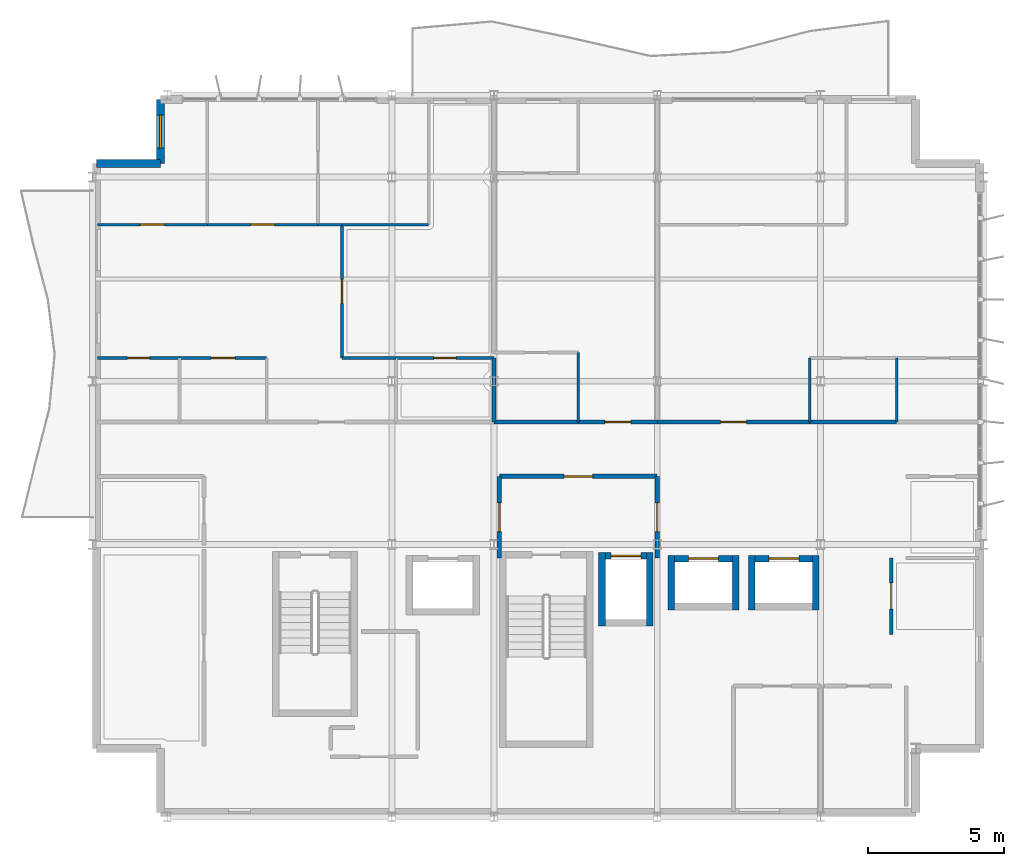
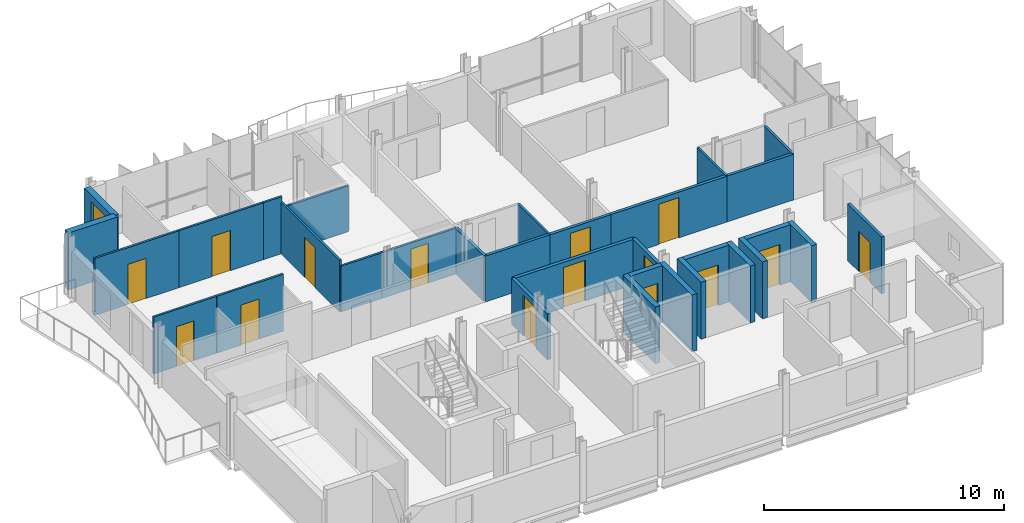
# One storey, part 9 of 13: 32 walls, 15 doors, 1 window, 16 openings.
"""IFC4 building model written with IfcOpenShell, lengths in metres."""

from ifc_helpers import new_model, si_unit, direction, frame, frame_2d, origin, place, context, subcontext, project, spatial, rectangle, extrude, material, layer, layer_set, type_object, element, fill, save


model = new_model("IFC4")

# Units and contexts
model_context = context("Model", 3, precision=1e-05, world=origin(), true_north=direction((0.0, 1.0)))
body_context = subcontext(model_context, "Body", "Model", "MODEL_VIEW")
ifc_project = project(units=[si_unit("LENGTHUNIT", "METRE"), si_unit("AREAUNIT", "SQUARE_METRE"), si_unit("VOLUMEUNIT", "CUBIC_METRE"), si_unit("PLANEANGLEUNIT", "RADIAN"), si_unit("MASSUNIT", "GRAM", prefix="KILO")], contexts=[model_context])

# Site, building, storey
site_placement = place(None, origin())
site = spatial("IfcSite", under=ifc_project, at=site_placement, CompositionType="ELEMENT")
building_placement = place(site_placement, origin())
building = spatial("IfcBuilding", under=site, at=building_placement, Name="Brevholm Reach", CompositionType="ELEMENT")
storey_placement = place(building_placement, frame((0.0, 0.0, 224.199951171875)))
storey = spatial("IfcBuildingStorey", under=building, at=storey_placement, Name="L68", CompositionType="ELEMENT", Elevation=224.199951171875)

# Walls
ifc_material_1 = material(Name="Concrete C45/55", Category="concrete")
ifc_layer_1 = layer(ifc_material_1, 0.239990234375)
ifc_layer_set_1 = layer_set([ifc_layer_1], Name="Concrete C45/55")
wall_type_1 = type_object("IfcWallType", Name="WAL-COR-240", PredefinedType="SHEAR", material=ifc_layer_set_1)
for number, where, z_axis, x_axis, name in (
    (1, (45.969970703125, 7.0, 0.0), (0.0, 0.0, 1.0), (0.0, 1.0, 0.0), "L68 Lift FFL-2 Shaft Wall W"),
    (2, (47.72998046875, 7.0, 0.0), (0.0, 0.0, 1.0), (0.0, 1.0, 0.0), "L68 Lift FFL-2 Shaft Wall E"),
):
    element("IfcWall", number, at=place(storey_placement, frame(where, z_axis=z_axis, x_axis=x_axis)), inside=storey, type_object=wall_type_1, Name=name, PredefinedType="SHEAR", context=body_context, shape_type="SweptSolid", body=[
        extrude(rectangle(XDim=2.699951171875, YDim=0.239990234375, at=frame_2d((1.35009765625, 0.0))), origin(), (0.0, 0.0, 1.0), 2.89013671875),
    ])

# Wall, opening, door
wall_1_placement = place(storey_placement, frame((46.090087890625, 9.580078125, 0.0), z_axis=(0.0, 0.0, 1.0), x_axis=(1.0, 0.0, 0.0)))
wall_1 = element("IfcWall", 3, at=wall_1_placement, inside=storey, type_object=wall_type_1, Name="L68 Lift FFL-2 Shaft Wall N", PredefinedType="SHEAR", context=body_context, shape_type="SweptSolid", body=[
    extrude(rectangle(XDim=1.52001953125, YDim=0.239990234375, at=frame_2d((0.760009765625, 0.0))), origin(), (0.0, 0.0, 1.0), 2.89013671875),
])
opening_1_placement = place(wall_1_placement, frame((0.2099609375, 0.0, 0.0)))
opening_1 = element("IfcOpeningElement", 4, at=opening_1_placement, cuts=wall_1, Name="Opening LD-FFL-2", PredefinedType="OPENING", context=body_context, shape_type="SweptSolid", body=[
    extrude(rectangle(XDim=1.10009765625, YDim=2.06005859375, at=frame_2d((0.550048828125, 1.030029296875))), frame((0.0, 0.1298828125, 0.0), z_axis=(0.0, -1.0, 0.0), x_axis=(1.0, 0.0, 0.0)), (0.0, 0.0, 1.0), 0.260009765625),
])
ifc_material_2 = material(Name="Brushed Stainless Steel Fire-Rated Sliding Lift Door", Category="steel")
door_type_1 = type_object("IfcDoorType", Name="DOR-LFT-1100", OperationType="NOTDEFINED", PredefinedType="DOOR", material=ifc_material_2)
door_1_placement = place(opening_1_placement, origin())
door_1 = element("IfcDoor", 5, at=door_1_placement, inside=storey, type_object=door_type_1, Name="L68 Lift FFL-2 Sliding Landing Door", OperationType="SLIDING_TO_LEFT", OverallHeight=2.06005859375, OverallWidth=1.10009765625, PredefinedType="DOOR", context=body_context, shape_type="SweptSolid", body=[
    extrude(rectangle(XDim=1.10009765625, YDim=2.06005859375, at=frame_2d((0.550048828125, 1.030029296875))), frame((0.0, 0.02490234375, 0.0), z_axis=(0.0, -1.0, 0.0), x_axis=(1.0, 0.0, 0.0)), (0.0, 0.0, 1.0), 0.050048828125),
])
fill(opening_1, door_1)

# Walls
for number, where, z_axis, x_axis, name in (
    (6, (48.52001953125, 7.60009765625, 0.0), (0.0, 0.0, 1.0), (0.0, 1.0, 0.0), "L68 Lift PL-H1 Shaft Wall W"),
    (7, (50.8798828125, 7.60009765625, 0.0), (0.0, 0.0, 1.0), (0.0, 1.0, 0.0), "L68 Lift PL-H1 Shaft Wall E"),
):
    element("IfcWall", number, at=place(storey_placement, frame(where, z_axis=z_axis, x_axis=x_axis)), inside=storey, type_object=wall_type_1, Name=name, PredefinedType="SHEAR", context=body_context, shape_type="SweptSolid", body=[
        extrude(rectangle(XDim=2.0, YDim=0.239990234375, at=frame_2d((1.0, 0.0))), origin(), (0.0, 0.0, 1.0), 2.89013671875),
    ])

# Wall, opening, door
wall_2_placement = place(storey_placement, frame((48.639892578125, 9.47998046875, 0.0), z_axis=(0.0, 0.0, 1.0), x_axis=(1.0, 0.0, 0.0)))
wall_2 = element("IfcWall", 8, at=wall_2_placement, inside=storey, type_object=wall_type_1, Name="L68 Lift PL-H1 Shaft Wall N", PredefinedType="SHEAR", context=body_context, shape_type="SweptSolid", body=[
    extrude(rectangle(XDim=2.1201171875, YDim=0.239990234375, at=frame_2d((1.06005859375, 0.0))), origin(), (0.0, 0.0, 1.0), 2.89013671875),
])
opening_2_placement = place(wall_2_placement, frame((0.510009765625, 0.0, 0.0)))
opening_2 = element("IfcOpeningElement", 9, at=opening_2_placement, cuts=wall_2, Name="Opening LD-PL-H1", PredefinedType="OPENING", context=body_context, shape_type="SweptSolid", body=[
    extrude(rectangle(XDim=1.10009765625, YDim=2.06005859375, at=frame_2d((0.550048828125, 1.030029296875))), frame((0.0, 0.1298828125, 0.0), z_axis=(0.0, -1.0, 0.0), x_axis=(1.0, 0.0, 0.0)), (0.0, 0.0, 1.0), 0.260009765625),
])
door_2_placement = place(opening_2_placement, origin())
door_2 = element("IfcDoor", 10, at=door_2_placement, inside=storey, type_object=door_type_1, Name="L68 Lift PL-H1 Sliding Landing Door", OperationType="SLIDING_TO_LEFT", OverallHeight=2.06005859375, OverallWidth=1.10009765625, PredefinedType="DOOR", context=body_context, shape_type="SweptSolid", body=[
    extrude(rectangle(XDim=1.10009765625, YDim=2.06005859375, at=frame_2d((0.550048828125, 1.030029296875))), frame((0.0, 0.02490234375, 0.0), z_axis=(0.0, -1.0, 0.0), x_axis=(1.0, 0.0, 0.0)), (0.0, 0.0, 1.0), 0.050048828125),
])
fill(opening_2, door_2)

# Walls
for number, where, z_axis, x_axis, name in (
    (11, (51.469970703125, 7.60009765625, 0.0), (0.0, 0.0, 1.0), (0.0, 1.0, 0.0), "L68 Lift PL-H2 Shaft Wall W"),
    (12, (53.830078125, 7.60009765625, 0.0), (0.0, 0.0, 1.0), (0.0, 1.0, 0.0), "L68 Lift PL-H2 Shaft Wall E"),
):
    element("IfcWall", number, at=place(storey_placement, frame(where, z_axis=z_axis, x_axis=x_axis)), inside=storey, type_object=wall_type_1, Name=name, PredefinedType="SHEAR", context=body_context, shape_type="SweptSolid", body=[
        extrude(rectangle(XDim=2.0, YDim=0.239990234375, at=frame_2d((1.0, 0.0))), origin(), (0.0, 0.0, 1.0), 2.89013671875),
    ])

# Wall, opening, door
wall_3_placement = place(storey_placement, frame((51.590087890625, 9.47998046875, 0.0), z_axis=(0.0, 0.0, 1.0), x_axis=(1.0, 0.0, 0.0)))
wall_3 = element("IfcWall", 13, at=wall_3_placement, inside=storey, type_object=wall_type_1, Name="L68 Lift PL-H2 Shaft Wall N", PredefinedType="SHEAR", context=body_context, shape_type="SweptSolid", body=[
    extrude(rectangle(XDim=2.119873046875, YDim=0.239990234375, at=frame_2d((1.06005859375, 0.0))), origin(), (0.0, 0.0, 1.0), 2.89013671875),
])
opening_3_placement = place(wall_3_placement, frame((0.510009765625, 0.0, 0.0)))
opening_3 = element("IfcOpeningElement", 14, at=opening_3_placement, cuts=wall_3, Name="Opening LD-PL-H2", PredefinedType="OPENING", context=body_context, shape_type="SweptSolid", body=[
    extrude(rectangle(XDim=1.10009765625, YDim=2.06005859375, at=frame_2d((0.550048828125, 1.030029296875))), frame((0.0, 0.1298828125, 0.0), z_axis=(0.0, -1.0, 0.0), x_axis=(1.0, 0.0, 0.0)), (0.0, 0.0, 1.0), 0.260009765625),
])
door_3_placement = place(opening_3_placement, origin())
door_3 = element("IfcDoor", 15, at=door_3_placement, inside=storey, type_object=door_type_1, Name="L68 Lift PL-H2 Sliding Landing Door", OperationType="SLIDING_TO_RIGHT", OverallHeight=2.06005859375, OverallWidth=1.10009765625, PredefinedType="DOOR", context=body_context, shape_type="SweptSolid", body=[
    extrude(rectangle(XDim=1.10009765625, YDim=2.06005859375, at=frame_2d((0.550048828125, 1.030029296875))), frame((0.0, 0.02490234375, 0.0), z_axis=(0.0, -1.0, 0.0), x_axis=(1.0, 0.0, 0.0)), (0.0, 0.0, 1.0), 0.050048828125),
])
fill(opening_3, door_3)

# Wall, opening, window
ifc_material_3 = material(Name="Concrete C40/50", Category="concrete")
ifc_layer_2 = layer(ifc_material_3, 0.300048828125)
ifc_layer_set_2 = layer_set([ifc_layer_2], Name="Concrete C40/50")
wall_type_2 = type_object("IfcWallType", Name="WAL-EXT-300", PredefinedType="STANDARD", material=ifc_layer_set_2)
wall_4_placement = place(storey_placement, frame((29.75, 26.35009765625, 0.0), z_axis=(0.0, 0.0, 1.0), x_axis=(0.0, -1.0, 0.0)))
wall_4 = element("IfcWall", 16, at=wall_4_placement, inside=storey, type_object=wall_type_2, Name="L68 Facade Wall WAL-L68-CNW1", PredefinedType="STANDARD", context=body_context, shape_type="SweptSolid", body=[
    extrude(rectangle(XDim=2.35009765625, YDim=0.300048828125, at=frame_2d((1.175048828125, 0.0))), origin(), (0.0, 0.0, 1.0), 2.89013671875),
])
opening_4_placement = place(wall_4_placement, frame((0.574951171875, 0.0, 0.949951171875)))
opening_4 = element("IfcOpeningElement", 17, at=opening_4_placement, cuts=wall_4, Name="Opening WN-08", PredefinedType="OPENING", context=body_context, shape_type="SweptSolid", body=[
    extrude(rectangle(XDim=1.199951171875, YDim=1.60009765625, at=frame_2d((0.60009765625, 0.800048828125))), frame((0.0, 0.159912109375, 0.0), z_axis=(0.0, -1.0, 0.0), x_axis=(1.0, 0.0, 0.0)), (0.0, 0.0, 1.0), 0.320068359375),
])
ifc_material_4 = material(Name="Dark Anodised Aluminium and Solar-Control IGU Glass", Category="aluminium")
window_type = type_object("IfcWindowType", Name="WIN-RES-1200", PartitioningType="SINGLE_PANEL", PredefinedType="WINDOW", material=ifc_material_4)
window_placement = place(opening_4_placement, origin())
window = element("IfcWindow", 18, at=window_placement, inside=storey, type_object=window_type, Name="L68 Bedroom Window 076", OverallHeight=1.60009765625, OverallWidth=1.199951171875, PartitioningType="SINGLE_PANEL", PredefinedType="WINDOW", context=body_context, shape_type="SweptSolid", body=[
    extrude(rectangle(XDim=1.199951171875, YDim=1.60009765625, at=frame_2d((0.60009765625, 0.800048828125))), frame((0.0, 0.030029296875, 0.0), z_axis=(0.0, -1.0, 0.0), x_axis=(1.0, 0.0, 0.0)), (0.0, 0.0, 1.0), 0.06005859375),
])
fill(opening_4, window)

# Wall
wall_5_placement = place(storey_placement, frame((29.75, 24.0, 0.0), z_axis=(0.0, 0.0, 1.0), x_axis=(-1.0, 0.0, 0.0)))
element("IfcWall", 19, at=wall_5_placement, inside=storey, type_object=wall_type_2, Name="L68 Facade Wall WAL-L68-CNW2", PredefinedType="STANDARD", context=body_context, shape_type="SweptSolid", body=[
    extrude(rectangle(XDim=2.35009765625, YDim=0.300048828125, at=frame_2d((1.175048828125, 0.0))), origin(), (0.0, 0.0, 1.0), 2.89013671875),
])

# Wall, opening, door
ifc_material_5 = material(Name="Moisture-Resistant Acoustic Gypsum Stud Partition 100 mm", Category="gypsum")
ifc_layer_3 = layer(ifc_material_5, 0.10009765625)
ifc_layer_set_3 = layer_set([ifc_layer_3], Name="Moisture-Resistant Acoustic Gypsum Stud Partition 100 mm")
wall_type_3 = type_object("IfcWallType", Name="WAL-PRT-100", PredefinedType="PARTITIONING", material=ifc_layer_set_3)
wall_6_placement = place(storey_placement, frame((27.429931640625, 16.85009765625, 0.0), z_axis=(0.0, 0.0, 1.0), x_axis=(1.0, 0.0, 0.0)))
wall_6 = element("IfcWall", 20, at=wall_6_placement, inside=storey, type_object=wall_type_3, Name="L68 Internal Partition 025", PredefinedType="PARTITIONING", context=body_context, shape_type="SweptSolid", body=[
    extrude(rectangle(XDim=3.02001953125, YDim=0.10009765625, at=frame_2d((1.510009765625, 0.0))), origin(), (0.0, 0.0, 1.0), 2.89013671875),
])
opening_5_placement = place(wall_6_placement, frame((1.10009765625, 0.0, 0.0)))
opening_5 = element("IfcOpeningElement", 21, at=opening_5_placement, cuts=wall_6, Name="Opening ID-03", PredefinedType="OPENING", context=body_context, shape_type="SweptSolid", body=[
    extrude(rectangle(XDim=0.820068359375, YDim=2.02001953125, at=frame_2d((0.41015625, 1.010009765625))), frame((0.0, 0.06005859375, 0.0), z_axis=(0.0, -1.0, 0.0), x_axis=(1.0, 0.0, 0.0)), (0.0, 0.0, 1.0), 0.1201171875),
])
ifc_material_6 = material(Name="Moisture-Resistant Painted Timber Internal Bathroom Door", Category="wood")
door_type_2 = type_object("IfcDoorType", Name="DOR-BATH-820", OperationType="NOTDEFINED", PredefinedType="DOOR", material=ifc_material_6)
door_4_placement = place(opening_5_placement, origin())
door_4 = element("IfcDoor", 22, at=door_4_placement, inside=storey, type_object=door_type_2, Name="L68 Internal Door 014", OperationType="SINGLE_SWING_RIGHT", OverallHeight=2.02001953125, OverallWidth=0.820068359375, PredefinedType="DOOR", context=body_context, shape_type="SweptSolid", body=[
    extrude(rectangle(XDim=0.820068359375, YDim=2.02001953125, at=frame_2d((0.41015625, 1.010009765625))), frame((0.0, 0.02490234375, 0.0), z_axis=(0.0, -1.0, 0.0), x_axis=(1.0, 0.0, 0.0)), (0.0, 0.0, 1.0), 0.050048828125),
])
fill(opening_5, door_4)

wall_7_placement = place(storey_placement, frame((30.4541015625, 16.85009765625, 0.0), z_axis=(0.0, 0.0, 1.0), x_axis=(1.0, 0.0, 0.0)))
wall_7 = element("IfcWall", 23, at=wall_7_placement, inside=storey, type_object=wall_type_3, Name="L68 Internal Partition 027", PredefinedType="PARTITIONING", context=body_context, shape_type="SweptSolid", body=[
    extrude(rectangle(XDim=3.19580078125, YDim=0.10009765625, at=frame_2d((1.597900390625, 0.0))), origin(), (0.0, 0.0, 1.0), 2.89013671875),
])
opening_6_placement = place(wall_7_placement, frame((1.157958984375, 0.0, 0.0)))
opening_6 = element("IfcOpeningElement", 24, at=opening_6_placement, cuts=wall_7, Name="Opening ID-01", PredefinedType="OPENING", context=body_context, shape_type="SweptSolid", body=[
    extrude(rectangle(XDim=0.8798828125, YDim=2.0400390625, at=frame_2d((0.43994140625, 1.02001953125))), frame((0.0, 0.06005859375, 0.0), z_axis=(0.0, -1.0, 0.0), x_axis=(1.0, 0.0, 0.0)), (0.0, 0.0, 1.0), 0.1201171875),
])
ifc_material_7 = material(Name="Lacquered Ash Solid-Core Acoustic Internal Door", Category="timber")
door_type_3 = type_object("IfcDoorType", Name="DOR-INT-880", OperationType="NOTDEFINED", PredefinedType="DOOR", material=ifc_material_7)
door_5_placement = place(opening_6_placement, origin())
door_5 = element("IfcDoor", 25, at=door_5_placement, inside=storey, type_object=door_type_3, Name="L68 Internal Door 015", OperationType="SINGLE_SWING_LEFT", OverallHeight=2.0400390625, OverallWidth=0.8798828125, PredefinedType="DOOR", context=body_context, shape_type="SweptSolid", body=[
    extrude(rectangle(XDim=0.8798828125, YDim=2.0400390625, at=frame_2d((0.43994140625, 1.02001953125))), frame((0.0, 0.02490234375, 0.0), z_axis=(0.0, -1.0, 0.0), x_axis=(1.0, 0.0, 0.0)), (0.0, 0.0, 1.0), 0.050048828125),
])
fill(opening_6, door_5)

wall_8_placement = place(storey_placement, frame((38.39990234375, 16.85009765625, 0.0), z_axis=(0.0, 0.0, 1.0), x_axis=(1.0, 0.0, 0.0)))
wall_8 = element("IfcWall", 26, at=wall_8_placement, inside=storey, type_object=wall_type_3, Name="L68 Internal Partition 028", PredefinedType="PARTITIONING", context=body_context, shape_type="SweptSolid", body=[
    extrude(rectangle(XDim=3.60009765625, YDim=0.10009765625, at=frame_2d((1.800048828125, 0.0))), origin(), (0.0, 0.0, 1.0), 2.325439453125),
])
opening_7_placement = place(wall_8_placement, frame((1.389892578125, 0.0, 0.0)))
opening_7 = element("IfcOpeningElement", 27, at=opening_7_placement, cuts=wall_8, Name="Opening ID-03", PredefinedType="OPENING", context=body_context, shape_type="SweptSolid", body=[
    extrude(rectangle(XDim=0.820068359375, YDim=2.02001953125, at=frame_2d((0.41015625, 1.010009765625))), frame((0.0, 0.06005859375, 0.0), z_axis=(0.0, -1.0, 0.0), x_axis=(1.0, 0.0, 0.0)), (0.0, 0.0, 1.0), 0.1201171875),
])
door_6_placement = place(opening_7_placement, origin())
door_6 = element("IfcDoor", 28, at=door_6_placement, inside=storey, type_object=door_type_2, Name="L68 Access Door 024", OperationType="SINGLE_SWING_RIGHT", OverallHeight=2.02001953125, OverallWidth=0.820068359375, PredefinedType="DOOR", context=body_context, shape_type="SweptSolid", body=[
    extrude(rectangle(XDim=0.820068359375, YDim=2.02001953125, at=frame_2d((0.41015625, 1.010009765625))), frame((0.0, 0.02490234375, 0.0), z_axis=(0.0, -1.0, 0.0), x_axis=(1.0, 0.0, 0.0)), (0.0, 0.0, 1.0), 0.050048828125),
])
fill(opening_7, door_6)

wall_9_placement = place(storey_placement, frame((27.429931640625, 21.75, 0.0), z_axis=(0.0, 0.0, 1.0), x_axis=(1.0, 0.0, 0.0)))
wall_9 = element("IfcWall", 29, at=wall_9_placement, inside=storey, type_object=wall_type_3, Name="L68 Internal Partition 032", PredefinedType="PARTITIONING", context=body_context, shape_type="SweptSolid", body=[
    extrude(rectangle(XDim=4.037109375, YDim=0.10009765625, at=frame_2d((2.0185546875, 0.0))), origin(), (0.0, 0.0, 1.0), 2.89013671875),
])
opening_8_placement = place(wall_9_placement, frame((1.57861328125, 0.0, 0.0)))
opening_8 = element("IfcOpeningElement", 30, at=opening_8_placement, cuts=wall_9, Name="Opening ID-01", PredefinedType="OPENING", context=body_context, shape_type="SweptSolid", body=[
    extrude(rectangle(XDim=0.8798828125, YDim=2.0400390625, at=frame_2d((0.43994140625, 1.02001953125))), frame((0.0, 0.06005859375, 0.0), z_axis=(0.0, -1.0, 0.0), x_axis=(1.0, 0.0, 0.0)), (0.0, 0.0, 1.0), 0.1201171875),
])
door_7_placement = place(opening_8_placement, origin())
door_7 = element("IfcDoor", 31, at=door_7_placement, inside=storey, type_object=door_type_3, Name="L68 Internal Door 016", OperationType="SINGLE_SWING_RIGHT", OverallHeight=2.0400390625, OverallWidth=0.8798828125, PredefinedType="DOOR", context=body_context, shape_type="SweptSolid", body=[
    extrude(rectangle(XDim=0.8798828125, YDim=2.0400390625, at=frame_2d((0.43994140625, 1.02001953125))), frame((0.0, 0.02490234375, 0.0), z_axis=(0.0, -1.0, 0.0), x_axis=(1.0, 0.0, 0.0)), (0.0, 0.0, 1.0), 0.050048828125),
])
fill(opening_8, door_7)

wall_10_placement = place(storey_placement, frame((31.470947265625, 21.75, 0.0), z_axis=(0.0, 0.0, 1.0), x_axis=(1.0, 0.0, 0.0)))
wall_10 = element("IfcWall", 32, at=wall_10_placement, inside=storey, type_object=wall_type_3, Name="L68 Internal Partition 034", PredefinedType="PARTITIONING", context=body_context, shape_type="SweptSolid", body=[
    extrude(rectangle(XDim=4.06298828125, YDim=0.10009765625, at=frame_2d((2.031494140625, 0.0))), origin(), (0.0, 0.0, 1.0), 2.89013671875),
])
opening_9_placement = place(wall_10_placement, frame((1.591552734375, 0.0, 0.0)))
opening_9 = element("IfcOpeningElement", 33, at=opening_9_placement, cuts=wall_10, Name="Opening ID-01", PredefinedType="OPENING", context=body_context, shape_type="SweptSolid", body=[
    extrude(rectangle(XDim=0.8798828125, YDim=2.0400390625, at=frame_2d((0.43994140625, 1.02001953125))), frame((0.0, 0.06005859375, 0.0), z_axis=(0.0, -1.0, 0.0), x_axis=(1.0, 0.0, 0.0)), (0.0, 0.0, 1.0), 0.1201171875),
])
door_8_placement = place(opening_9_placement, origin())
door_8 = element("IfcDoor", 34, at=door_8_placement, inside=storey, type_object=door_type_3, Name="L68 Internal Door 017", OperationType="SINGLE_SWING_LEFT", OverallHeight=2.0400390625, OverallWidth=0.8798828125, PredefinedType="DOOR", context=body_context, shape_type="SweptSolid", body=[
    extrude(rectangle(XDim=0.8798828125, YDim=2.0400390625, at=frame_2d((0.43994140625, 1.02001953125))), frame((0.0, 0.02490234375, 0.0), z_axis=(0.0, -1.0, 0.0), x_axis=(1.0, 0.0, 0.0)), (0.0, 0.0, 1.0), 0.050048828125),
])
fill(opening_9, door_8)

# Walls
wall_11_placement = place(storey_placement, frame((36.40673828125, 21.75, 0.0), z_axis=(0.0, 0.0, 1.0), x_axis=(1.0, 0.0, 0.0)))
element("IfcWall", 35, at=wall_11_placement, inside=storey, type_object=wall_type_3, Name="L68 Internal Partition 036", PredefinedType="PARTITIONING", context=body_context, shape_type="SweptSolid", body=[
    extrude(rectangle(XDim=3.1943359375, YDim=0.10009765625, at=frame_2d((1.59716796875, 0.0))), origin(), (0.0, 0.0, 1.0), 2.325439453125),
])
wall_12_placement = place(storey_placement, frame((35.5380859375, 21.75, 0.0), z_axis=(0.0, 0.0, 1.0), x_axis=(1.0, 0.0, 0.0)))
element("IfcWall", 36, at=wall_12_placement, inside=storey, type_object=wall_type_3, Name="L68 Internal Partition 037", PredefinedType="PARTITIONING", context=body_context, shape_type="SweptSolid", body=[
    extrude(rectangle(XDim=0.88720703125, YDim=0.10009765625, at=frame_2d((0.443603515625, 0.0))), origin(), (0.0, 0.0, 1.0), 2.89013671875),
])

# Wall, opening, door
wall_13_placement = place(storey_placement, frame((36.41796875, 16.85009765625, 0.0), z_axis=(0.0, 0.0, 1.0), x_axis=(0.0, 1.0, 0.0)))
wall_13 = element("IfcWall", 37, at=wall_13_placement, inside=storey, type_object=wall_type_3, Name="L68 Internal Partition 038", PredefinedType="PARTITIONING", context=body_context, shape_type="SweptSolid", body=[
    extrude(rectangle(XDim=4.89599609375, YDim=0.10009765625, at=frame_2d((2.447998046875, 0.0))), origin(), (0.0, 0.0, 1.0), 2.61376953125),
])
opening_10_placement = place(wall_13_placement, frame((2.008056640625, 0.0, 0.0)))
opening_10 = element("IfcOpeningElement", 38, at=opening_10_placement, cuts=wall_13, Name="Opening ID-01", PredefinedType="OPENING", context=body_context, shape_type="SweptSolid", body=[
    extrude(rectangle(XDim=0.8798828125, YDim=2.0400390625, at=frame_2d((0.43994140625, 1.02001953125))), frame((0.0, 0.06005859375, 0.0), z_axis=(0.0, -1.0, 0.0), x_axis=(1.0, 0.0, 0.0)), (0.0, 0.0, 1.0), 0.1201171875),
])
door_9_placement = place(opening_10_placement, origin())
door_9 = element("IfcDoor", 39, at=door_9_placement, inside=storey, type_object=door_type_3, Name="L68 Internal Door 018", OperationType="SINGLE_SWING_RIGHT", OverallHeight=2.0400390625, OverallWidth=0.8798828125, PredefinedType="DOOR", context=body_context, shape_type="SweptSolid", body=[
    extrude(rectangle(XDim=0.8798828125, YDim=2.0400390625, at=frame_2d((0.43994140625, 1.02001953125))), frame((0.0, 0.02490234375, 0.0), z_axis=(0.0, -1.0, 0.0), x_axis=(1.0, 0.0, 0.0)), (0.0, 0.0, 1.0), 0.050048828125),
])
fill(opening_10, door_9)

# Walls
wall_14_placement = place(storey_placement, frame((36.41796875, 16.85009765625, 0.0), z_axis=(0.0, 0.0, 1.0), x_axis=(1.0, 0.0, 0.0)))
element("IfcWall", 40, at=wall_14_placement, inside=storey, type_object=wall_type_3, Name="L68 Internal Partition 039", PredefinedType="PARTITIONING", context=body_context, shape_type="SweptSolid", body=[
    extrude(rectangle(XDim=1.97802734375, YDim=0.10009765625, at=frame_2d((0.989013671875, 0.0))), origin(), (0.0, 0.0, 1.0), 2.325439453125),
])
wall_15_placement = place(storey_placement, frame((45.10009765625, 14.50390625, 0.0), z_axis=(0.0, 0.0, 1.0), x_axis=(0.0, 1.0, 0.0)))
element("IfcWall", 41, at=wall_15_placement, inside=storey, type_object=wall_type_3, Name="L68 Internal Partition 042", PredefinedType="PARTITIONING", context=body_context, shape_type="SweptSolid", body=[
    extrude(rectangle(XDim=2.546142578125, YDim=0.10009765625, at=frame_2d((1.27294921875, 0.0))), origin(), (0.0, 0.0, 1.0), 2.325439453125),
])
for number, where, z_axis, x_axis, name in (
    (42, (56.800048828125, 14.50390625, 0.0), (0.0, 0.0, 1.0), (0.0, 1.0, 0.0), "L68 Internal Partition 048"),
    (43, (53.60009765625, 14.50390625, 0.0), (0.0, 0.0, 1.0), (0.0, 1.0, 0.0), "L68 Internal Partition 051"),
):
    element("IfcWall", number, at=place(storey_placement, frame(where, z_axis=z_axis, x_axis=x_axis)), inside=storey, type_object=wall_type_3, Name=name, PredefinedType="PARTITIONING", context=body_context, shape_type="SweptSolid", body=[
        extrude(rectangle(XDim=2.34619140625, YDim=0.10009765625, at=frame_2d((1.173095703125, 0.0))), origin(), (0.0, 0.0, 1.0), 2.325439453125),
    ])

# Wall, opening, door
ifc_material_8 = material(Name="Twin-Stud Acoustic Fire-Rated Gypsum Partition 140 mm", Category="gypsum")
ifc_layer_4 = layer(ifc_material_8, 0.139892578125)
ifc_layer_set_4 = layer_set([ifc_layer_4], Name="Twin-Stud Acoustic Fire-Rated Gypsum Partition 140 mm")
wall_type_4 = type_object("IfcWallType", Name="WAL-PRT-140", PredefinedType="PARTITIONING", material=ifc_layer_set_4)
wall_16_placement = place(storey_placement, frame((56.60009765625, 6.688720703125, 0.0), z_axis=(0.0, 0.0, 1.0), x_axis=(0.0, 1.0, 0.0)))
wall_16 = element("IfcWall", 44, at=wall_16_placement, inside=storey, type_object=wall_type_4, Name="L68 Internal Partition 006", PredefinedType="PARTITIONING", context=body_context, shape_type="SweptSolid", body=[
    extrude(rectangle(XDim=2.822509765625, YDim=0.139892578125, at=frame_2d((1.4111328125, 0.0))), origin(), (0.0, 0.0, 1.0), 2.89013671875),
])
opening_11_placement = place(wall_16_placement, frame((0.936279296875, 0.0, 0.0)))
opening_11 = element("IfcOpeningElement", 45, at=opening_11_placement, cuts=wall_16, Name="Opening ID-30", PredefinedType="OPENING", context=body_context, shape_type="SweptSolid", body=[
    extrude(rectangle(XDim=0.949951171875, YDim=2.050048828125, at=frame_2d((0.47509765625, 1.02490234375))), frame((0.0, 0.079833984375, 0.0), z_axis=(0.0, -1.0, 0.0), x_axis=(1.0, 0.0, 0.0)), (0.0, 0.0, 1.0), 0.159912109375),
])
ifc_material_9 = material(Name="European Oak Veneered Solid-Core Fire Entrance Door", Category="timber")
door_type_4 = type_object("IfcDoorType", Name="DOR-FLT-FD30S", OperationType="NOTDEFINED", PredefinedType="DOOR", material=ifc_material_9)
door_10_placement = place(opening_11_placement, origin())
door_10 = element("IfcDoor", 46, at=door_10_placement, inside=storey, type_object=door_type_4, Name="L68 Internal Door 006", OperationType="SINGLE_SWING_RIGHT", OverallHeight=2.050048828125, OverallWidth=0.949951171875, PredefinedType="DOOR", context=body_context, shape_type="SweptSolid", body=[
    extrude(rectangle(XDim=0.949951171875, YDim=2.050048828125, at=frame_2d((0.47509765625, 1.02490234375))), frame((0.0, 0.02490234375, 0.0), z_axis=(0.0, -1.0, 0.0), x_axis=(1.0, 0.0, 0.0)), (0.0, 0.0, 1.0), 0.050048828125),
])
fill(opening_11, door_10)

# Wall
wall_17_placement = place(storey_placement, frame((41.99267578125, 14.5, 0.0), z_axis=(0.0, 0.0, 1.0), x_axis=(1.0, 0.0, 0.0)))
element("IfcWall", 47, at=wall_17_placement, inside=storey, type_object=wall_type_4, Name="L68 Internal Partition 019", PredefinedType="PARTITIONING", context=body_context, shape_type="SweptSolid", body=[
    extrude(rectangle(XDim=3.11865234375, YDim=0.139892578125, at=frame_2d((1.559326171875, 0.0))), origin(), (0.0, 0.0, 1.0), 2.325439453125),
])

# Wall, opening, door
wall_18_placement = place(storey_placement, frame((45.0927734375, 14.5, 0.0), z_axis=(0.0, 0.0, 1.0), x_axis=(1.0, 0.0, 0.0)))
wall_18 = element("IfcWall", 48, at=wall_18_placement, inside=storey, type_object=wall_type_4, Name="L68 Internal Partition 020", PredefinedType="PARTITIONING", context=body_context, shape_type="SweptSolid", body=[
    extrude(rectangle(XDim=2.91845703125, YDim=0.139892578125, at=frame_2d((1.459228515625, 0.0))), origin(), (0.0, 0.0, 1.0), 2.325439453125),
])
opening_12_placement = place(wall_18_placement, frame((0.984375, 0.0, 0.0)))
opening_12 = element("IfcOpeningElement", 49, at=opening_12_placement, cuts=wall_18, Name="Opening ID-30", PredefinedType="OPENING", context=body_context, shape_type="SweptSolid", body=[
    extrude(rectangle(XDim=0.949951171875, YDim=2.050048828125, at=frame_2d((0.47509765625, 1.02490234375))), frame((0.0, 0.079833984375, 0.0), z_axis=(0.0, -1.0, 0.0), x_axis=(1.0, 0.0, 0.0)), (0.0, 0.0, 1.0), 0.159912109375),
])
door_11_placement = place(opening_12_placement, origin())
door_11 = element("IfcDoor", 50, at=door_11_placement, inside=storey, type_object=door_type_4, Name="L68 Internal Door 012", OperationType="SINGLE_SWING_RIGHT", OverallHeight=2.050048828125, OverallWidth=0.949951171875, PredefinedType="DOOR", context=body_context, shape_type="SweptSolid", body=[
    extrude(rectangle(XDim=0.949951171875, YDim=2.050048828125, at=frame_2d((0.47509765625, 1.02490234375))), frame((0.0, 0.02490234375, 0.0), z_axis=(0.0, -1.0, 0.0), x_axis=(1.0, 0.0, 0.0)), (0.0, 0.0, 1.0), 0.050048828125),
])
fill(opening_12, door_11)

# Wall
wall_19_placement = place(storey_placement, frame((53.588623046875, 14.5, 0.0), z_axis=(0.0, 0.0, 1.0), x_axis=(1.0, 0.0, 0.0)))
element("IfcWall", 51, at=wall_19_placement, inside=storey, type_object=wall_type_4, Name="L68 Internal Partition 022", PredefinedType="PARTITIONING", context=body_context, shape_type="SweptSolid", body=[
    extrude(rectangle(XDim=3.21875, YDim=0.139892578125, at=frame_2d((1.609375, 0.0))), origin(), (0.0, 0.0, 1.0), 2.325439453125),
])

# Wall, opening, door
wall_20_placement = place(storey_placement, frame((47.99267578125, 14.5, 0.0), z_axis=(0.0, 0.0, 1.0), x_axis=(1.0, 0.0, 0.0)))
wall_20 = element("IfcWall", 52, at=wall_20_placement, inside=storey, type_object=wall_type_4, Name="L68 Internal Partition 023", PredefinedType="PARTITIONING", context=body_context, shape_type="SweptSolid", body=[
    extrude(rectangle(XDim=5.61474609375, YDim=0.139892578125, at=frame_2d((2.807373046875, 0.0))), origin(), (0.0, 0.0, 1.0), 2.325439453125),
])
opening_13_placement = place(wall_20_placement, frame((2.332275390625, 0.0, 0.0)))
opening_13 = element("IfcOpeningElement", 53, at=opening_13_placement, cuts=wall_20, Name="Opening ID-30", PredefinedType="OPENING", context=body_context, shape_type="SweptSolid", body=[
    extrude(rectangle(XDim=0.949951171875, YDim=2.050048828125, at=frame_2d((0.47509765625, 1.02490234375))), frame((0.0, 0.079833984375, 0.0), z_axis=(0.0, -1.0, 0.0), x_axis=(1.0, 0.0, 0.0)), (0.0, 0.0, 1.0), 0.159912109375),
])
door_12_placement = place(opening_13_placement, origin())
door_12 = element("IfcDoor", 54, at=door_12_placement, inside=storey, type_object=door_type_4, Name="L68 Internal Door 013", OperationType="SINGLE_SWING_LEFT", OverallHeight=2.050048828125, OverallWidth=0.949951171875, PredefinedType="DOOR", context=body_context, shape_type="SweptSolid", body=[
    extrude(rectangle(XDim=0.949951171875, YDim=2.050048828125, at=frame_2d((0.47509765625, 1.02490234375))), frame((0.0, 0.02490234375, 0.0), z_axis=(0.0, -1.0, 0.0), x_axis=(1.0, 0.0, 0.0)), (0.0, 0.0, 1.0), 0.050048828125),
])
fill(opening_13, door_12)

# Wall
wall_21_placement = place(storey_placement, frame((42.0, 14.50390625, 0.0), z_axis=(0.0, 0.0, 1.0), x_axis=(0.0, 1.0, 0.0)))
element("IfcWall", 55, at=wall_21_placement, inside=storey, type_object=wall_type_4, Name="L68 Internal Partition 030", PredefinedType="PARTITIONING", context=body_context, shape_type="SweptSolid", body=[
    extrude(rectangle(XDim=2.34619140625, YDim=0.139892578125, at=frame_2d((1.173095703125, 0.0))), origin(), (0.0, 0.0, 1.0), 2.325439453125),
])

# Wall, opening, door
ifc_material_10 = material(Name="Twin-Frame Fire-Rated Gypsum Board and Mineral Wool 160 mm", Category="gypsum")
ifc_layer_5 = layer(ifc_material_10, 0.159912109375)
ifc_layer_set_5 = layer_set([ifc_layer_5], Name="Twin-Frame Fire-Rated Gypsum Board and Mineral Wool 160 mm")
wall_type_5 = type_object("IfcWallType", Name="WAL-PRT-160", PredefinedType="PARTITIONING", material=ifc_layer_set_5)
wall_22_placement = place(storey_placement, frame((42.199951171875, 9.5, 0.0), z_axis=(0.0, 0.0, 1.0), x_axis=(0.0, 1.0, 0.0)))
wall_22 = element("IfcWall", 56, at=wall_22_placement, inside=storey, type_object=wall_type_5, Name="L68 Internal Partition 009", PredefinedType="PARTITIONING", context=body_context, shape_type="SweptSolid", body=[
    extrude(rectangle(XDim=3.0, YDim=0.159912109375, at=frame_2d((1.5, 0.0))), origin(), (0.0, 0.0, 1.0), 2.325439453125),
])
opening_14_placement = place(wall_22_placement, frame((0.97509765625, 0.0, 0.0)))
opening_14 = element("IfcOpeningElement", 57, at=opening_14_placement, cuts=wall_22, Name="Opening FD-01", PredefinedType="OPENING", context=body_context, shape_type="SweptSolid", body=[
    extrude(rectangle(XDim=1.050048828125, YDim=2.06005859375, at=frame_2d((0.52490234375, 1.030029296875))), frame((0.0, 0.08984375, 0.0), z_axis=(0.0, -1.0, 0.0), x_axis=(1.0, 0.0, 0.0)), (0.0, 0.0, 1.0), 0.179931640625),
])
ifc_material_11 = material(Name="Hardwood-Lipped Steel-Core Fire and Smoke Door", Category="steel")
door_type_5 = type_object("IfcDoorType", Name="DOR-INT-FD60S", OperationType="NOTDEFINED", PredefinedType="DOOR", material=ifc_material_11)
door_13_placement = place(opening_14_placement, origin())
door_13 = element("IfcDoor", 58, at=door_13_placement, inside=storey, type_object=door_type_5, Name="L68 Internal Door 007", OperationType="SINGLE_SWING_LEFT", OverallHeight=2.06005859375, OverallWidth=1.050048828125, PredefinedType="DOOR", context=body_context, shape_type="SweptSolid", body=[
    extrude(rectangle(XDim=1.050048828125, YDim=2.06005859375, at=frame_2d((0.52490234375, 1.030029296875))), frame((0.0, 0.02490234375, 0.0), z_axis=(0.0, -1.0, 0.0), x_axis=(1.0, 0.0, 0.0)), (0.0, 0.0, 1.0), 0.050048828125),
])
fill(opening_14, door_13)

wall_23_placement = place(storey_placement, frame((48.0, 9.5, 0.0), z_axis=(0.0, 0.0, 1.0), x_axis=(0.0, 1.0, 0.0)))
wall_23 = element("IfcWall", 59, at=wall_23_placement, inside=storey, type_object=wall_type_5, Name="L68 Internal Partition 010", PredefinedType="PARTITIONING", context=body_context, shape_type="SweptSolid", body=[
    extrude(rectangle(XDim=3.0, YDim=0.159912109375, at=frame_2d((1.5, 0.0))), origin(), (0.0, 0.0, 1.0), 2.325439453125),
])
opening_15_placement = place(wall_23_placement, frame((0.97509765625, 0.0, 0.0)))
opening_15 = element("IfcOpeningElement", 60, at=opening_15_placement, cuts=wall_23, Name="Opening FD-01", PredefinedType="OPENING", context=body_context, shape_type="SweptSolid", body=[
    extrude(rectangle(XDim=1.050048828125, YDim=2.06005859375, at=frame_2d((0.52490234375, 1.030029296875))), frame((0.0, 0.08984375, 0.0), z_axis=(0.0, -1.0, 0.0), x_axis=(1.0, 0.0, 0.0)), (0.0, 0.0, 1.0), 0.179931640625),
])
door_14_placement = place(opening_15_placement, origin())
door_14 = element("IfcDoor", 61, at=door_14_placement, inside=storey, type_object=door_type_5, Name="L68 Internal Door 008", OperationType="SINGLE_SWING_RIGHT", OverallHeight=2.06005859375, OverallWidth=1.050048828125, PredefinedType="DOOR", context=body_context, shape_type="SweptSolid", body=[
    extrude(rectangle(XDim=1.050048828125, YDim=2.06005859375, at=frame_2d((0.52490234375, 1.030029296875))), frame((0.0, 0.02490234375, 0.0), z_axis=(0.0, -1.0, 0.0), x_axis=(1.0, 0.0, 0.0)), (0.0, 0.0, 1.0), 0.050048828125),
])
fill(opening_15, door_14)

wall_24_placement = place(storey_placement, frame((42.199951171875, 12.5, 0.0), z_axis=(0.0, 0.0, 1.0), x_axis=(1.0, 0.0, 0.0)))
wall_24 = element("IfcWall", 62, at=wall_24_placement, inside=storey, type_object=wall_type_5, Name="L68 Internal Partition 011", PredefinedType="PARTITIONING", context=body_context, shape_type="SweptSolid", body=[
    extrude(rectangle(XDim=5.800048828125, YDim=0.159912109375, at=frame_2d((2.89990234375, 0.0))), origin(), (0.0, 0.0, 1.0), 2.325439453125),
])
opening_16_placement = place(wall_24_placement, frame((2.375, 0.0, 0.0)))
opening_16 = element("IfcOpeningElement", 63, at=opening_16_placement, cuts=wall_24, Name="Opening FD-01", PredefinedType="OPENING", context=body_context, shape_type="SweptSolid", body=[
    extrude(rectangle(XDim=1.050048828125, YDim=2.06005859375, at=frame_2d((0.52490234375, 1.030029296875))), frame((0.0, 0.08984375, 0.0), z_axis=(0.0, -1.0, 0.0), x_axis=(1.0, 0.0, 0.0)), (0.0, 0.0, 1.0), 0.179931640625),
])
door_15_placement = place(opening_16_placement, origin())
door_15 = element("IfcDoor", 64, at=door_15_placement, inside=storey, type_object=door_type_5, Name="L68 Internal Door 009", OperationType="SINGLE_SWING_LEFT", OverallHeight=2.06005859375, OverallWidth=1.050048828125, PredefinedType="DOOR", context=body_context, shape_type="SweptSolid", body=[
    extrude(rectangle(XDim=1.050048828125, YDim=2.06005859375, at=frame_2d((0.52490234375, 1.030029296875))), frame((0.0, 0.02490234375, 0.0), z_axis=(0.0, -1.0, 0.0), x_axis=(1.0, 0.0, 0.0)), (0.0, 0.0, 1.0), 0.050048828125),
])
fill(opening_16, door_15)

save(model, "model.ifc")
